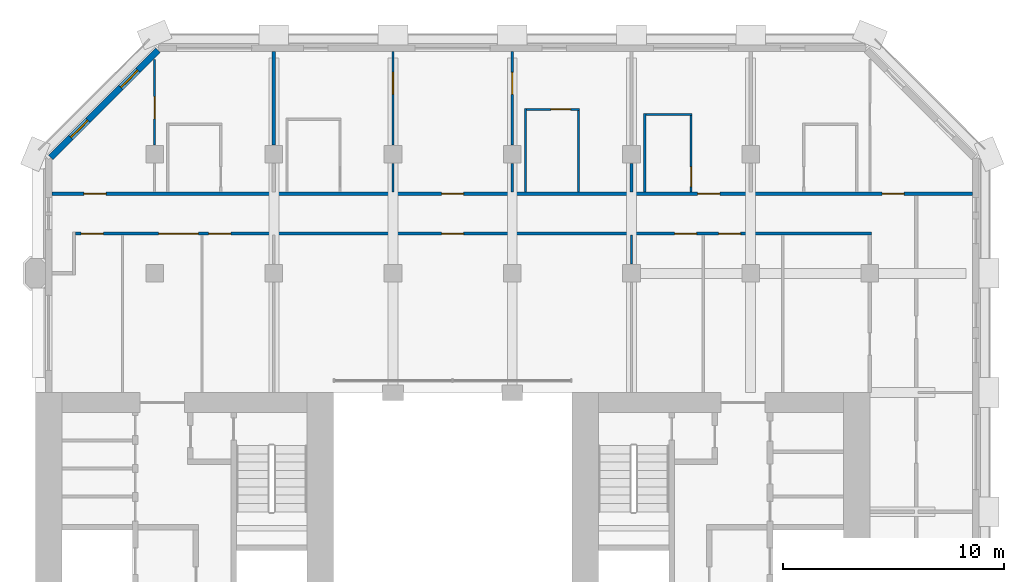
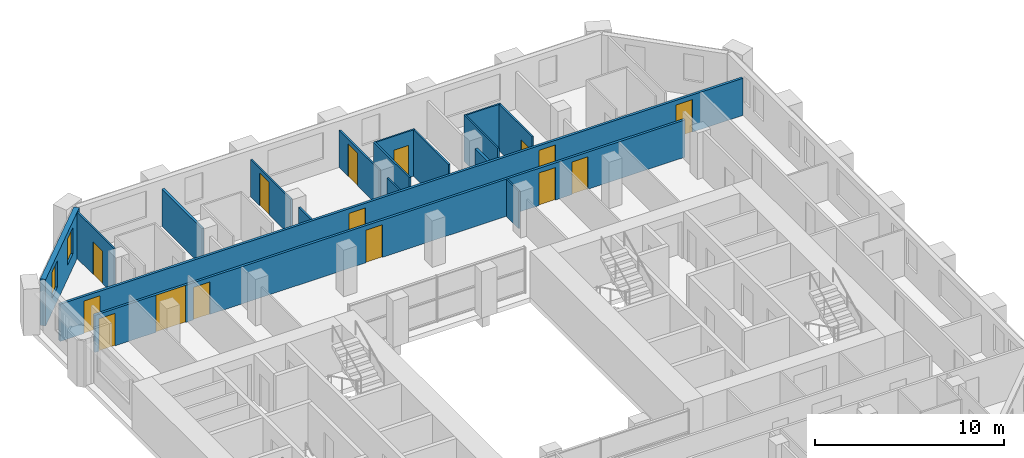
# One storey, part 8 of 12: 17 walls, 15 doors, 2 windows, 17 openings.
"""IFC4 building model written with IfcOpenShell, lengths in metres."""

from ifc_helpers import new_model, si_unit, direction, frame, frame_2d, origin, place, context, subcontext, project, spatial, rectangle, extrude, material, layer, layer_set, type_object, element, fill, save


model = new_model("IFC4")

# Units and contexts
model_context = context("Model", 3, precision=1e-05, world=origin(), true_north=direction((0.0, 1.0)))
body_context = subcontext(model_context, "Body", "Model", "MODEL_VIEW")
ifc_project = project(units=[si_unit("LENGTHUNIT", "METRE"), si_unit("AREAUNIT", "SQUARE_METRE"), si_unit("VOLUMEUNIT", "CUBIC_METRE"), si_unit("PLANEANGLEUNIT", "RADIAN"), si_unit("MASSUNIT", "GRAM", prefix="KILO")], contexts=[model_context])

# Site, building, storey
site_placement = place(None, origin())
site = spatial("IfcSite", under=ifc_project, at=site_placement, CompositionType="ELEMENT")
building_placement = place(site_placement, origin())
building = spatial("IfcBuilding", under=site, at=building_placement, Name="Tabaq Tower and Sports Hall", CompositionType="ELEMENT")
storey_placement = place(building_placement, frame((0.0, 0.0, 197.199951171875)))
storey = spatial("IfcBuildingStorey", under=building, at=storey_placement, Name="L48", CompositionType="ELEMENT", Elevation=197.199951171875)

# Wall, opening, door
ifc_material_1 = material(Name="Gypsum board on steel studs", Category="steel")
ifc_layer_1 = layer(ifc_material_1, 0.10009765625)
ifc_layer_set_1 = layer_set([ifc_layer_1], Name="Partition 100 Gypsum board")
wall_type_1 = type_object("IfcWallType", Name="Partition 100 Gypsum board", PredefinedType="PARTITIONING", material=ifc_layer_set_1)
wall_1_placement = place(storey_placement, frame((10.800048828125, 47.48779296875, 0.0), z_axis=(0.0, 0.0, 1.0), x_axis=(0.0, -1.0, 0.0)))
wall_1 = element("IfcWall", 1, at=wall_1_placement, inside=storey, type_object=wall_type_1, Name="Partition wall L48", PredefinedType="PARTITIONING", context=body_context, shape_type="SweptSolid", body=[
    extrude(rectangle(XDim=3.86767578125, YDim=0.10009765625, at=frame_2d((1.933837890625, 0.0))), origin(), (0.0, 0.0, 1.0), 3.0),
])
opening_1_placement = place(wall_1_placement, frame((1.68798828125, 0.0, 0.0)))
opening_1 = element("IfcOpeningElement", 2, at=opening_1_placement, cuts=wall_1, Name="Opening L48-025", PredefinedType="OPENING", context=body_context, shape_type="SweptSolid", body=[
    extrude(rectangle(XDim=1.0, YDim=2.10009765625, at=frame_2d((0.5, 1.050048828125))), frame((0.0, 0.050048828125, 0.0), z_axis=(0.0, -1.0, 0.0), x_axis=(1.0, 0.0, 0.0)), (0.0, 0.0, 1.0), 0.10009765625),
])
ifc_material_2 = material(Name="Timber leaf in steel frame", Category="steel")
door_type_1 = type_object("IfcDoorType", Name="Internal door 1000 right hand", OperationType="SINGLE_SWING_RIGHT", PredefinedType="DOOR", material=ifc_material_2)
door_1_placement = place(opening_1_placement, origin())
door_1 = element("IfcDoor", 3, at=door_1_placement, inside=storey, type_object=door_type_1, Name="Internal door L48-025", OperationType="SINGLE_SWING_RIGHT", OverallHeight=2.10009765625, OverallWidth=1.0, PredefinedType="DOOR", context=body_context, shape_type="SweptSolid", body=[
    extrude(rectangle(XDim=1.0, YDim=2.10009765625, at=frame_2d((0.5, 1.050048828125))), frame((0.0, 0.02490234375, 0.0), z_axis=(0.0, -1.0, 0.0), x_axis=(1.0, 0.0, 0.0)), (0.0, 0.0, 1.0), 0.050048828125),
])
fill(opening_1, door_1)

# Wall
wall_2_placement = place(storey_placement, frame((21.60009765625, 41.47509765625, 0.0), z_axis=(0.0, 0.0, 1.0), x_axis=(0.0, 1.0, 0.0)))
element("IfcWall", 4, at=wall_2_placement, inside=storey, type_object=wall_type_1, Name="Partition wall L48", PredefinedType="PARTITIONING", context=body_context, shape_type="SweptSolid", body=[
    extrude(rectangle(XDim=1.304931640625, YDim=0.10009765625, at=frame_2d((0.65234375, 0.0))), origin(), (0.0, 0.0, 1.0), 2.400146484375),
])

# Wall, opening, door
wall_3_placement = place(storey_placement, frame((21.60009765625, 43.6201171875, 0.0), z_axis=(0.0, 0.0, 1.0), x_axis=(0.0, 1.0, 0.0)))
wall_3 = element("IfcWall", 5, at=wall_3_placement, inside=storey, type_object=wall_type_1, Name="Partition wall L48", PredefinedType="PARTITIONING", context=body_context, shape_type="SweptSolid", body=[
    extrude(rectangle(XDim=4.22900390625, YDim=0.10009765625, at=frame_2d((2.114501953125, 0.0))), origin(), (0.0, 0.0, 1.0), 2.400146484375),
])
opening_2_placement = place(wall_3_placement, frame((2.280029296875, 0.0, 0.0)))
opening_2 = element("IfcOpeningElement", 6, at=opening_2_placement, cuts=wall_3, Name="Opening L48-027", PredefinedType="OPENING", context=body_context, shape_type="SweptSolid", body=[
    extrude(rectangle(XDim=1.0, YDim=2.10009765625, at=frame_2d((0.5, 1.050048828125))), frame((0.0, 0.050048828125, 0.0), z_axis=(0.0, -1.0, 0.0), x_axis=(1.0, 0.0, 0.0)), (0.0, 0.0, 1.0), 0.10009765625),
])
door_2_placement = place(opening_2_placement, origin())
door_2 = element("IfcDoor", 7, at=door_2_placement, inside=storey, type_object=door_type_1, Name="Internal door L48-027", OperationType="SINGLE_SWING_RIGHT", OverallHeight=2.10009765625, OverallWidth=1.0, PredefinedType="DOOR", context=body_context, shape_type="SweptSolid", body=[
    extrude(rectangle(XDim=1.0, YDim=2.10009765625, at=frame_2d((0.5, 1.050048828125))), frame((0.0, 0.02490234375, 0.0), z_axis=(0.0, -1.0, 0.0), x_axis=(1.0, 0.0, 0.0)), (0.0, 0.0, 1.0), 0.050048828125),
])
fill(opening_2, door_2)

wall_4_placement = place(storey_placement, frame((27.0, 47.84912109375, 0.0), z_axis=(0.0, 0.0, 1.0), x_axis=(0.0, -1.0, 0.0)))
wall_4 = element("IfcWall", 8, at=wall_4_placement, inside=storey, type_object=wall_type_1, Name="Partition wall L48", PredefinedType="PARTITIONING", context=body_context, shape_type="SweptSolid", body=[
    extrude(rectangle(XDim=4.22900390625, YDim=0.10009765625, at=frame_2d((2.114501953125, 0.0))), origin(), (0.0, 0.0, 1.0), 2.400146484375),
])
opening_3_placement = place(wall_4_placement, frame((0.948974609375, 0.0, 0.0)))
opening_3 = element("IfcOpeningElement", 9, at=opening_3_placement, cuts=wall_4, Name="Opening L48-028", PredefinedType="OPENING", context=body_context, shape_type="SweptSolid", body=[
    extrude(rectangle(XDim=1.0, YDim=2.10009765625, at=frame_2d((0.5, 1.050048828125))), frame((0.0, 0.050048828125, 0.0), z_axis=(0.0, -1.0, 0.0), x_axis=(1.0, 0.0, 0.0)), (0.0, 0.0, 1.0), 0.10009765625),
])
door_3_placement = place(opening_3_placement, origin())
door_3 = element("IfcDoor", 10, at=door_3_placement, inside=storey, type_object=door_type_1, Name="Internal door L48-028", OperationType="SINGLE_SWING_RIGHT", OverallHeight=2.10009765625, OverallWidth=1.0, PredefinedType="DOOR", context=body_context, shape_type="SweptSolid", body=[
    extrude(rectangle(XDim=1.0, YDim=2.10009765625, at=frame_2d((0.5, 1.050048828125))), frame((0.0, 0.02490234375, 0.0), z_axis=(0.0, -1.0, 0.0), x_axis=(1.0, 0.0, 0.0)), (0.0, 0.0, 1.0), 0.050048828125),
])
fill(opening_3, door_3)

# Walls
wall_5_placement = place(storey_placement, frame((27.0, 42.780029296875, 0.0), z_axis=(0.0, 0.0, 1.0), x_axis=(0.0, -1.0, 0.0)))
element("IfcWall", 11, at=wall_5_placement, inside=storey, type_object=wall_type_1, Name="Partition wall L48", PredefinedType="PARTITIONING", context=body_context, shape_type="SweptSolid", body=[
    extrude(rectangle(XDim=1.304931640625, YDim=0.10009765625, at=frame_2d((0.65234375, 0.0))), origin(), (0.0, 0.0, 1.0), 2.400146484375),
])
wall_6_placement = place(storey_placement, frame((27.60009765625, 41.47509765625, 0.0), z_axis=(0.0, 0.0, 1.0), x_axis=(0.0, 1.0, 0.0)))
element("IfcWall", 12, at=wall_6_placement, inside=storey, type_object=wall_type_1, Name="Partition wall L48", PredefinedType="PARTITIONING", context=body_context, shape_type="SweptSolid", body=[
    extrude(rectangle(XDim=3.7998046875, YDim=0.10009765625, at=frame_2d((1.89990234375, 0.0))), origin(), (0.0, 0.0, 1.0), 3.0),
])

# Wall, opening, door
wall_7_placement = place(storey_placement, frame((27.64990234375, 45.22509765625, 0.0), z_axis=(0.0, 0.0, 1.0), x_axis=(1.0, 0.0, 0.0)))
wall_7 = element("IfcWall", 13, at=wall_7_placement, inside=storey, type_object=wall_type_1, Name="Partition wall L48", PredefinedType="PARTITIONING", context=body_context, shape_type="SweptSolid", body=[
    extrude(rectangle(XDim=2.400146484375, YDim=0.10009765625, at=frame_2d((1.2001953125, 0.0))), origin(), (0.0, 0.0, 1.0), 3.0),
])
opening_4_placement = place(wall_7_placement, frame((1.10009765625, 0.0, 0.0)))
opening_4 = element("IfcOpeningElement", 14, at=opening_4_placement, cuts=wall_7, Name="Opening L48-004", PredefinedType="OPENING", context=body_context, shape_type="SweptSolid", body=[
    extrude(rectangle(XDim=0.89990234375, YDim=2.10009765625, at=frame_2d((0.449951171875, 1.050048828125))), frame((0.0, 0.050048828125, 0.0), z_axis=(0.0, -1.0, 0.0), x_axis=(1.0, 0.0, 0.0)), (0.0, 0.0, 1.0), 0.10009765625),
])
ifc_material_3 = material(Name="Timber leaf in steel frame", Category="steel")
door_type_2 = type_object("IfcDoorType", Name="Internal door 900 left hand", OperationType="SINGLE_SWING_LEFT", PredefinedType="DOOR", material=ifc_material_3)
door_4_placement = place(opening_4_placement, origin())
door_4 = element("IfcDoor", 15, at=door_4_placement, inside=storey, type_object=door_type_2, Name="Internal door L48-004", OperationType="SINGLE_SWING_LEFT", OverallHeight=2.10009765625, OverallWidth=0.89990234375, PredefinedType="DOOR", context=body_context, shape_type="SweptSolid", body=[
    extrude(rectangle(XDim=0.89990234375, YDim=2.10009765625, at=frame_2d((0.449951171875, 1.050048828125))), frame((0.0, 0.02490234375, 0.0), z_axis=(0.0, -1.0, 0.0), x_axis=(1.0, 0.0, 0.0)), (0.0, 0.0, 1.0), 0.050048828125),
])
fill(opening_4, door_4)

# Walls
wall_8_placement = place(storey_placement, frame((30.0, 45.175048828125, 0.0), z_axis=(0.0, 0.0, 1.0), x_axis=(0.0, -1.0, 0.0)))
element("IfcWall", 16, at=wall_8_placement, inside=storey, type_object=wall_type_1, Name="Partition wall L48", PredefinedType="PARTITIONING", context=body_context, shape_type="SweptSolid", body=[
    extrude(rectangle(XDim=3.699951171875, YDim=0.10009765625, at=frame_2d((1.85009765625, 0.0))), origin(), (0.0, 0.0, 1.0), 3.0),
])
wall_9_placement = place(storey_placement, frame((33.0, 41.47509765625, 0.0), z_axis=(0.0, 0.0, 1.0), x_axis=(0.0, 1.0, 0.0)))
element("IfcWall", 17, at=wall_9_placement, inside=storey, type_object=wall_type_1, Name="Partition wall L48", PredefinedType="PARTITIONING", context=body_context, shape_type="SweptSolid", body=[
    extrude(rectangle(XDim=3.574951171875, YDim=0.10009765625, at=frame_2d((1.78759765625, 0.0))), origin(), (0.0, 0.0, 1.0), 3.0),
])
wall_10_placement = place(storey_placement, frame((33.050048828125, 45.0, 0.0), z_axis=(0.0, 0.0, 1.0), x_axis=(1.0, 0.0, 0.0)))
element("IfcWall", 18, at=wall_10_placement, inside=storey, type_object=wall_type_1, Name="Partition wall L48", PredefinedType="PARTITIONING", context=body_context, shape_type="SweptSolid", body=[
    extrude(rectangle(XDim=2.099853515625, YDim=0.10009765625, at=frame_2d((1.0498046875, 0.0))), origin(), (0.0, 0.0, 1.0), 3.0),
])

# Wall, opening, door
wall_11_placement = place(storey_placement, frame((35.10009765625, 44.949951171875, 0.0), z_axis=(0.0, 0.0, 1.0), x_axis=(0.0, -1.0, 0.0)))
wall_11 = element("IfcWall", 19, at=wall_11_placement, inside=storey, type_object=wall_type_1, Name="Partition wall L48", PredefinedType="PARTITIONING", context=body_context, shape_type="SweptSolid", body=[
    extrude(rectangle(XDim=3.474853515625, YDim=0.10009765625, at=frame_2d((1.7373046875, 0.0))), origin(), (0.0, 0.0, 1.0), 3.0),
])
opening_5_placement = place(wall_11_placement, frame((2.324951171875, 0.0, 0.0)))
opening_5 = element("IfcOpeningElement", 20, at=opening_5_placement, cuts=wall_11, Name="Opening L48-005", PredefinedType="OPENING", context=body_context, shape_type="SweptSolid", body=[
    extrude(rectangle(XDim=0.89990234375, YDim=2.10009765625, at=frame_2d((0.449951171875, 1.050048828125))), frame((0.0, 0.050048828125, 0.0), z_axis=(0.0, -1.0, 0.0), x_axis=(1.0, 0.0, 0.0)), (0.0, 0.0, 1.0), 0.10009765625),
])
door_5_placement = place(opening_5_placement, origin())
door_5 = element("IfcDoor", 21, at=door_5_placement, inside=storey, type_object=door_type_2, Name="Internal door L48-005", OperationType="SINGLE_SWING_LEFT", OverallHeight=2.10009765625, OverallWidth=0.89990234375, PredefinedType="DOOR", context=body_context, shape_type="SweptSolid", body=[
    extrude(rectangle(XDim=0.89990234375, YDim=2.10009765625, at=frame_2d((0.449951171875, 1.050048828125))), frame((0.0, 0.02490234375, 0.0), z_axis=(0.0, -1.0, 0.0), x_axis=(1.0, 0.0, 0.0)), (0.0, 0.0, 1.0), 0.050048828125),
])
fill(opening_5, door_5)

# Walls
wall_12_placement = place(storey_placement, frame((32.39990234375, 38.219970703125, 0.0), z_axis=(0.0, 0.0, 1.0), x_axis=(0.0, 1.0, 0.0)))
element("IfcWall", 22, at=wall_12_placement, inside=storey, type_object=wall_type_1, Name="Partition wall L48", PredefinedType="PARTITIONING", context=body_context, shape_type="SweptSolid", body=[
    extrude(rectangle(XDim=1.304931640625, YDim=0.10009765625, at=frame_2d((0.65234375, 0.0))), origin(), (0.0, 0.0, 1.0), 2.400146484375),
])
ifc_material_4 = material(Name="Blockwork", Category="masonry")
ifc_layer_2 = layer(ifc_material_4, 0.14990234375)
ifc_layer_set_2 = layer_set([ifc_layer_2], Name="Separating wall 150 Blockwork")
wall_type_2 = type_object("IfcWallType", Name="Separating wall 150 Blockwork", PredefinedType="PARTITIONING", material=ifc_layer_set_2)
wall_13_placement = place(storey_placement, frame((16.199951171875, 43.6201171875, 0.0), z_axis=(0.0, 0.0, 1.0), x_axis=(0.0, 1.0, 0.0)))
element("IfcWall", 23, at=wall_13_placement, inside=storey, type_object=wall_type_2, Name="Separating wall L48", PredefinedType="PARTITIONING", context=body_context, shape_type="SweptSolid", body=[
    extrude(rectangle(XDim=4.22900390625, YDim=0.14990234375, at=frame_2d((2.114501953125, 0.0))), origin(), (0.0, 0.0, 1.0), 2.400146484375),
])
wall_14_placement = place(storey_placement, frame((32.39990234375, 41.47509765625, 0.0), z_axis=(0.0, 0.0, 1.0), x_axis=(0.0, 1.0, 0.0)))
element("IfcWall", 24, at=wall_14_placement, inside=storey, type_object=wall_type_2, Name="Separating wall L48", PredefinedType="PARTITIONING", context=body_context, shape_type="SweptSolid", body=[
    extrude(rectangle(XDim=1.304931640625, YDim=0.14990234375, at=frame_2d((0.65234375, 0.0))), origin(), (0.0, 0.0, 1.0), 2.400146484375),
])

# Wall, openings, doors
wall_15_placement = place(storey_placement, frame((47.84912109375, 41.39990234375, 0.0), z_axis=(0.0, 0.0, 1.0), x_axis=(-1.0, 0.0, 0.0)))
wall_15 = element("IfcWall", 25, at=wall_15_placement, inside=storey, type_object=wall_type_2, Name="Separating wall L48", PredefinedType="PARTITIONING", context=body_context, shape_type="SweptSolid", body=[
    extrude(rectangle(XDim=41.6982421875, YDim=0.14990234375, at=frame_2d((20.84912109375, 0.0))), origin(), (0.0, 0.0, 1.0), 2.400146484375),
])
opening_6_placement = place(wall_15_placement, frame((39.2490234375, 0.0, 0.0)))
opening_6 = element("IfcOpeningElement", 26, at=opening_6_placement, cuts=wall_15, Name="Opening L48-026", PredefinedType="OPENING", context=body_context, shape_type="SweptSolid", body=[
    extrude(rectangle(XDim=1.0, YDim=2.10009765625, at=frame_2d((0.5, 1.050048828125))), frame((0.0, 0.074951171875, 0.0), z_axis=(0.0, -1.0, 0.0), x_axis=(1.0, 0.0, 0.0)), (0.0, 0.0, 1.0), 0.14990234375),
])
opening_7_placement = place(wall_15_placement, frame((11.448974609375, 0.0, 0.0)))
opening_7 = element("IfcOpeningElement", 27, at=opening_7_placement, cuts=wall_15, Name="Opening L48-029", PredefinedType="OPENING", context=body_context, shape_type="SweptSolid", body=[
    extrude(rectangle(XDim=1.0, YDim=2.10009765625, at=frame_2d((0.5, 1.050048828125))), frame((0.0, 0.074951171875, 0.0), z_axis=(0.0, -1.0, 0.0), x_axis=(1.0, 0.0, 0.0)), (0.0, 0.0, 1.0), 0.14990234375),
])
opening_8_placement = place(wall_15_placement, frame((3.09912109375, 0.0, 0.0)))
opening_8 = element("IfcOpeningElement", 28, at=opening_8_placement, cuts=wall_15, Name="Opening L48-031", PredefinedType="OPENING", context=body_context, shape_type="SweptSolid", body=[
    extrude(rectangle(XDim=1.0, YDim=2.10009765625, at=frame_2d((0.5, 1.050048828125))), frame((0.0, 0.074951171875, 0.0), z_axis=(0.0, -1.0, 0.0), x_axis=(1.0, 0.0, 0.0)), (0.0, 0.0, 1.0), 0.14990234375),
])
opening_9_placement = place(wall_15_placement, frame((23.049072265625, 0.0, 0.0)))
opening_9 = element("IfcOpeningElement", 29, at=opening_9_placement, cuts=wall_15, Name="Opening L48-042", PredefinedType="OPENING", context=body_context, shape_type="SweptSolid", body=[
    extrude(rectangle(XDim=1.0, YDim=2.10009765625, at=frame_2d((0.5, 1.050048828125))), frame((0.0, 0.074951171875, 0.0), z_axis=(0.0, -1.0, 0.0), x_axis=(1.0, 0.0, 0.0)), (0.0, 0.0, 1.0), 0.14990234375),
])
ifc_material_5 = material(Name="Steel fire door", Category="steel")
door_type_3 = type_object("IfcDoorType", Name="Entrance door 1000 left hand", OperationType="SINGLE_SWING_LEFT", PredefinedType="DOOR", material=ifc_material_5)
door_6_placement = place(opening_6_placement, origin())
door_6 = element("IfcDoor", 30, at=door_6_placement, inside=storey, type_object=door_type_3, Name="Entrance door L48-026", OperationType="SINGLE_SWING_LEFT", OverallHeight=2.10009765625, OverallWidth=1.0, PredefinedType="DOOR", context=body_context, shape_type="SweptSolid", body=[
    extrude(rectangle(XDim=1.0, YDim=2.10009765625, at=frame_2d((0.5, 1.050048828125))), frame((0.0, 0.02490234375, 0.0), z_axis=(0.0, -1.0, 0.0), x_axis=(1.0, 0.0, 0.0)), (0.0, 0.0, 1.0), 0.050048828125),
])
fill(opening_6, door_6)
door_7_placement = place(opening_7_placement, origin())
door_7 = element("IfcDoor", 31, at=door_7_placement, inside=storey, type_object=door_type_3, Name="Entrance door L48-029", OperationType="SINGLE_SWING_LEFT", OverallHeight=2.10009765625, OverallWidth=1.0, PredefinedType="DOOR", context=body_context, shape_type="SweptSolid", body=[
    extrude(rectangle(XDim=1.0, YDim=2.10009765625, at=frame_2d((0.5, 1.050048828125))), frame((0.0, 0.02490234375, 0.0), z_axis=(0.0, -1.0, 0.0), x_axis=(1.0, 0.0, 0.0)), (0.0, 0.0, 1.0), 0.050048828125),
])
fill(opening_7, door_7)
door_8_placement = place(opening_8_placement, origin())
door_8 = element("IfcDoor", 32, at=door_8_placement, inside=storey, type_object=door_type_3, Name="Entrance door L48-031", OperationType="SINGLE_SWING_LEFT", OverallHeight=2.10009765625, OverallWidth=1.0, PredefinedType="DOOR", context=body_context, shape_type="SweptSolid", body=[
    extrude(rectangle(XDim=1.0, YDim=2.10009765625, at=frame_2d((0.5, 1.050048828125))), frame((0.0, 0.02490234375, 0.0), z_axis=(0.0, -1.0, 0.0), x_axis=(1.0, 0.0, 0.0)), (0.0, 0.0, 1.0), 0.050048828125),
])
fill(opening_8, door_8)
ifc_material_6 = material(Name="Steel fire door", Category="steel")
door_type_4 = type_object("IfcDoorType", Name="Entrance door 1000 right hand", OperationType="SINGLE_SWING_RIGHT", PredefinedType="DOOR", material=ifc_material_6)
door_9_placement = place(opening_9_placement, origin())
door_9 = element("IfcDoor", 33, at=door_9_placement, inside=storey, type_object=door_type_4, Name="Entrance door L48-042", OperationType="SINGLE_SWING_RIGHT", OverallHeight=2.10009765625, OverallWidth=1.0, PredefinedType="DOOR", context=body_context, shape_type="SweptSolid", body=[
    extrude(rectangle(XDim=1.0, YDim=2.10009765625, at=frame_2d((0.5, 1.050048828125))), frame((0.0, 0.02490234375, 0.0), z_axis=(0.0, -1.0, 0.0), x_axis=(1.0, 0.0, 0.0)), (0.0, 0.0, 1.0), 0.050048828125),
])
fill(opening_9, door_9)

wall_16_placement = place(storey_placement, frame((43.27490234375, 39.60009765625, 0.0), z_axis=(0.0, 0.0, 1.0), x_axis=(-1.0, 0.0, 0.0)))
wall_16 = element("IfcWall", 34, at=wall_16_placement, inside=storey, type_object=wall_type_2, Name="Separating wall L48", PredefinedType="PARTITIONING", context=body_context, shape_type="SweptSolid", body=[
    extrude(rectangle(XDim=36.048828125, YDim=0.14990234375, at=frame_2d((18.0244140625, 0.0))), origin(), (0.0, 0.0, 1.0), 2.400146484375),
])
opening_10_placement = place(wall_16_placement, frame((18.47509765625, 0.0, 0.0)))
opening_10 = element("IfcOpeningElement", 35, at=opening_10_placement, cuts=wall_16, Name="Opening L48-007", PredefinedType="OPENING", context=body_context, shape_type="SweptSolid", body=[
    extrude(rectangle(XDim=1.0, YDim=2.10009765625, at=frame_2d((0.5, 1.050048828125))), frame((0.0, 0.074951171875, 0.0), z_axis=(0.0, -1.0, 0.0), x_axis=(1.0, 0.0, 0.0)), (0.0, 0.0, 1.0), 0.14990234375),
])
opening_11_placement = place(wall_16_placement, frame((34.799072265625, 0.0, 0.0)))
opening_11 = element("IfcOpeningElement", 36, at=opening_11_placement, cuts=wall_16, Name="Opening L48-009", PredefinedType="OPENING", context=body_context, shape_type="SweptSolid", body=[
    extrude(rectangle(XDim=1.0, YDim=2.10009765625, at=frame_2d((0.5, 1.050048828125))), frame((0.0, 0.074951171875, 0.0), z_axis=(0.0, -1.0, 0.0), x_axis=(1.0, 0.0, 0.0)), (0.0, 0.0, 1.0), 0.14990234375),
])
opening_12_placement = place(wall_16_placement, frame((7.925048828125, 0.0, 0.0)))
opening_12 = element("IfcOpeningElement", 37, at=opening_12_placement, cuts=wall_16, Name="Opening L48-010", PredefinedType="OPENING", context=body_context, shape_type="SweptSolid", body=[
    extrude(rectangle(XDim=1.0, YDim=2.10009765625, at=frame_2d((0.5, 1.050048828125))), frame((0.0, 0.074951171875, 0.0), z_axis=(0.0, -1.0, 0.0), x_axis=(1.0, 0.0, 0.0)), (0.0, 0.0, 1.0), 0.14990234375),
])
opening_13_placement = place(wall_16_placement, frame((29.02490234375, 0.0, 0.0)))
opening_13 = element("IfcOpeningElement", 38, at=opening_13_placement, cuts=wall_16, Name="Opening L48-012", PredefinedType="OPENING", context=body_context, shape_type="SweptSolid", body=[
    extrude(rectangle(XDim=1.0, YDim=2.10009765625, at=frame_2d((0.5, 1.050048828125))), frame((0.0, 0.074951171875, 0.0), z_axis=(0.0, -1.0, 0.0), x_axis=(1.0, 0.0, 0.0)), (0.0, 0.0, 1.0), 0.14990234375),
])
opening_14_placement = place(wall_16_placement, frame((30.4951171875, 0.0, 0.0)))
opening_14 = element("IfcOpeningElement", 39, at=opening_14_placement, cuts=wall_16, Name="Opening L48-032", PredefinedType="OPENING", context=body_context, shape_type="SweptSolid", body=[
    extrude(rectangle(XDim=1.800048828125, YDim=2.39990234375, at=frame_2d((0.89990234375, 1.199951171875))), frame((0.0, 0.074951171875, 0.0), z_axis=(0.0, -1.0, 0.0), x_axis=(1.0, 0.0, 0.0)), (0.0, 0.0, 1.0), 0.14990234375),
])
opening_15_placement = place(wall_16_placement, frame((5.925048828125, 0.0, 0.0)))
opening_15 = element("IfcOpeningElement", 40, at=opening_15_placement, cuts=wall_16, Name="Opening L48-033", PredefinedType="OPENING", context=body_context, shape_type="SweptSolid", body=[
    extrude(rectangle(XDim=1.0, YDim=2.10009765625, at=frame_2d((0.5, 1.050048828125))), frame((0.0, 0.074951171875, 0.0), z_axis=(0.0, -1.0, 0.0), x_axis=(1.0, 0.0, 0.0)), (0.0, 0.0, 1.0), 0.14990234375),
])
ifc_material_7 = material(Name="Timber leaf in steel frame", Category="steel")
door_type_5 = type_object("IfcDoorType", Name="Internal door 1000 left hand", OperationType="SINGLE_SWING_LEFT", PredefinedType="DOOR", material=ifc_material_7)
door_10_placement = place(opening_10_placement, origin())
door_10 = element("IfcDoor", 41, at=door_10_placement, inside=storey, type_object=door_type_5, Name="Internal door L48-007", OperationType="SINGLE_SWING_LEFT", OverallHeight=2.10009765625, OverallWidth=1.0, PredefinedType="DOOR", context=body_context, shape_type="SweptSolid", body=[
    extrude(rectangle(XDim=1.0, YDim=2.10009765625, at=frame_2d((0.5, 1.050048828125))), frame((0.0, 0.02490234375, 0.0), z_axis=(0.0, -1.0, 0.0), x_axis=(1.0, 0.0, 0.0)), (0.0, 0.0, 1.0), 0.050048828125),
])
fill(opening_10, door_10)
door_11_placement = place(opening_13_placement, origin())
door_11 = element("IfcDoor", 42, at=door_11_placement, inside=storey, type_object=door_type_5, Name="Internal door L48-012", OperationType="SINGLE_SWING_LEFT", OverallHeight=2.10009765625, OverallWidth=1.0, PredefinedType="DOOR", context=body_context, shape_type="SweptSolid", body=[
    extrude(rectangle(XDim=1.0, YDim=2.10009765625, at=frame_2d((0.5, 1.050048828125))), frame((0.0, 0.02490234375, 0.0), z_axis=(0.0, -1.0, 0.0), x_axis=(1.0, 0.0, 0.0)), (0.0, 0.0, 1.0), 0.050048828125),
])
fill(opening_13, door_11)
door_12_placement = place(opening_11_placement, origin())
door_12 = element("IfcDoor", 43, at=door_12_placement, inside=storey, type_object=door_type_1, Name="Internal door L48-009", OperationType="SINGLE_SWING_RIGHT", OverallHeight=2.10009765625, OverallWidth=1.0, PredefinedType="DOOR", context=body_context, shape_type="SweptSolid", body=[
    extrude(rectangle(XDim=1.0, YDim=2.10009765625, at=frame_2d((0.5, 1.050048828125))), frame((0.0, 0.02490234375, 0.0), z_axis=(0.0, -1.0, 0.0), x_axis=(1.0, 0.0, 0.0)), (0.0, 0.0, 1.0), 0.050048828125),
])
fill(opening_11, door_12)
door_13_placement = place(opening_12_placement, origin())
door_13 = element("IfcDoor", 44, at=door_13_placement, inside=storey, type_object=door_type_1, Name="Internal door L48-010", OperationType="SINGLE_SWING_RIGHT", OverallHeight=2.10009765625, OverallWidth=1.0, PredefinedType="DOOR", context=body_context, shape_type="SweptSolid", body=[
    extrude(rectangle(XDim=1.0, YDim=2.10009765625, at=frame_2d((0.5, 1.050048828125))), frame((0.0, 0.02490234375, 0.0), z_axis=(0.0, -1.0, 0.0), x_axis=(1.0, 0.0, 0.0)), (0.0, 0.0, 1.0), 0.050048828125),
])
fill(opening_12, door_13)
door_14_placement = place(opening_15_placement, origin())
door_14 = element("IfcDoor", 45, at=door_14_placement, inside=storey, type_object=door_type_1, Name="Internal door L48-033", OperationType="SINGLE_SWING_RIGHT", OverallHeight=2.10009765625, OverallWidth=1.0, PredefinedType="DOOR", context=body_context, shape_type="SweptSolid", body=[
    extrude(rectangle(XDim=1.0, YDim=2.10009765625, at=frame_2d((0.5, 1.050048828125))), frame((0.0, 0.02490234375, 0.0), z_axis=(0.0, -1.0, 0.0), x_axis=(1.0, 0.0, 0.0)), (0.0, 0.0, 1.0), 0.050048828125),
])
fill(opening_15, door_14)
ifc_material_8 = material(Name="Timber leaf in steel frame", Category="steel")
door_type_6 = type_object("IfcDoorType", Name="Internal door 1800", OperationType="DOUBLE_DOOR_SINGLE_SWING", PredefinedType="DOOR", material=ifc_material_8)
door_15_placement = place(opening_14_placement, origin())
door_15 = element("IfcDoor", 46, at=door_15_placement, inside=storey, type_object=door_type_6, Name="Internal door L48-032", OperationType="DOUBLE_DOOR_SINGLE_SWING", OverallHeight=2.39990234375, OverallWidth=1.800048828125, PredefinedType="DOOR", context=body_context, shape_type="SweptSolid", body=[
    extrude(rectangle(XDim=1.800048828125, YDim=2.39990234375, at=frame_2d((0.89990234375, 1.199951171875))), frame((0.0, 0.02490234375, 0.0), z_axis=(0.0, -1.0, 0.0), x_axis=(1.0, 0.0, 0.0)), (0.0, 0.0, 1.0), 0.050048828125),
])
fill(opening_14, door_15)

# Wall, openings, windows
ifc_material_9 = material(Name="White precast concrete C60/75", Category="concrete")
ifc_layer_3 = layer(ifc_material_9, 0.300048828125)
ifc_layer_set_3 = layer_set([ifc_layer_3], Name="White precast concrete C60/75 external wall 300")
wall_type_3 = type_object("IfcWallType", Name="White precast concrete C60/75 external wall 300", PredefinedType="SOLIDWALL", material=ifc_layer_set_3)
wall_17_placement = place(storey_placement, frame((10.949462890625, 47.901123046875, 0.0), z_axis=(0.0, 0.0, 1.0), x_axis=(-0.707106781187, -0.707106781187, 0.0)))
wall_17 = element("IfcWall", 47, at=wall_17_placement, inside=storey, type_object=wall_type_3, Name="External Wall L48 NW", PredefinedType="SOLIDWALL", context=body_context, shape_type="SweptSolid", body=[
    extrude(rectangle(XDim=6.85986328125, YDim=0.300048828125, at=frame_2d((3.429931640625, 0.0))), origin(), (0.0, 0.0, 1.0), 3.0),
])
opening_16_placement = place(wall_17_placement, frame((1.27978515625, 0.0, 0.89990234375)))
opening_16 = element("IfcOpeningElement", 48, at=opening_16_placement, cuts=wall_17, Name="Opening W1B", PredefinedType="OPENING", context=body_context, shape_type="SweptSolid", body=[
    extrude(rectangle(XDim=1.10009765625, YDim=1.699951171875, at=frame_2d((0.550048828125, 0.85009765625))), frame((0.0, 0.16015625, 0.0), z_axis=(0.0, -1.0, 0.0), x_axis=(1.0, 0.0, 0.0)), (0.0, 0.0, 1.0), 0.320068359375),
])
opening_17_placement = place(wall_17_placement, frame((4.479736328125, 0.0, 0.89990234375)))
opening_17 = element("IfcOpeningElement", 49, at=opening_17_placement, cuts=wall_17, Name="Opening W1B", PredefinedType="OPENING", context=body_context, shape_type="SweptSolid", body=[
    extrude(rectangle(XDim=1.10009765625, YDim=1.699951171875, at=frame_2d((0.550048828125, 0.85009765625))), frame((0.0, 0.16015625, 0.0), z_axis=(0.0, -1.0, 0.0), x_axis=(1.0, 0.0, 0.0)), (0.0, 0.0, 1.0), 0.320068359375),
])
ifc_material_10 = material(Name="Aluminium framed clear glazing", Category="aluminium")
window_type = type_object("IfcWindowType", Name="Window W1B", PartitioningType="SINGLE_PANEL", PredefinedType="WINDOW", material=ifc_material_10)
window_1_placement = place(opening_16_placement, origin())
window_1 = element("IfcWindow", 50, at=window_1_placement, inside=storey, type_object=window_type, Name="Window W1B L48", OverallHeight=1.699951171875, OverallWidth=1.10009765625, PartitioningType="SINGLE_PANEL", PredefinedType="WINDOW", context=body_context, shape_type="SweptSolid", body=[
    extrude(rectangle(XDim=1.10009765625, YDim=1.699951171875, at=frame_2d((0.550048828125, 0.85009765625))), frame((0.0, 0.030029296875, 0.0), z_axis=(0.0, -1.0, 0.0), x_axis=(1.0, 0.0, 0.0)), (0.0, 0.0, 1.0), 0.06005859375),
])
fill(opening_16, window_1)
window_2_placement = place(opening_17_placement, origin())
window_2 = element("IfcWindow", 51, at=window_2_placement, inside=storey, type_object=window_type, Name="Window W1B L48", OverallHeight=1.699951171875, OverallWidth=1.10009765625, PartitioningType="SINGLE_PANEL", PredefinedType="WINDOW", context=body_context, shape_type="SweptSolid", body=[
    extrude(rectangle(XDim=1.10009765625, YDim=1.699951171875, at=frame_2d((0.550048828125, 0.85009765625))), frame((0.0, 0.030029296875, 0.0), z_axis=(0.0, -1.0, 0.0), x_axis=(1.0, 0.0, 0.0)), (0.0, 0.0, 1.0), 0.06005859375),
])
fill(opening_17, window_2)

save(model, "model.ifc")
